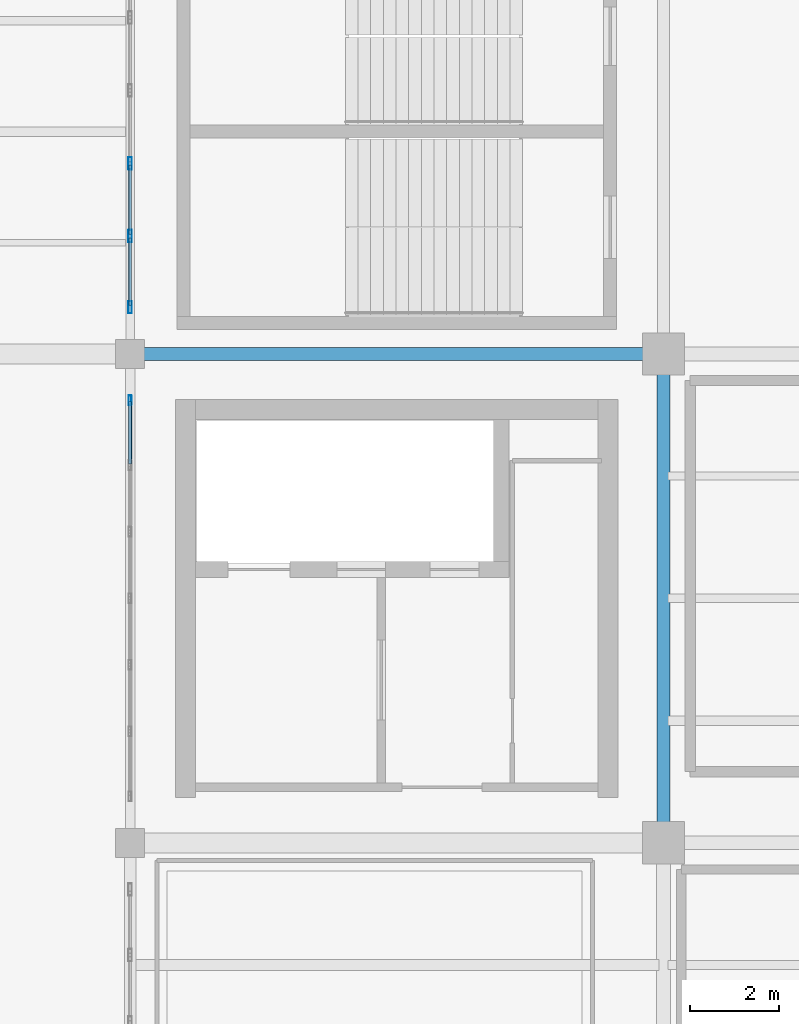
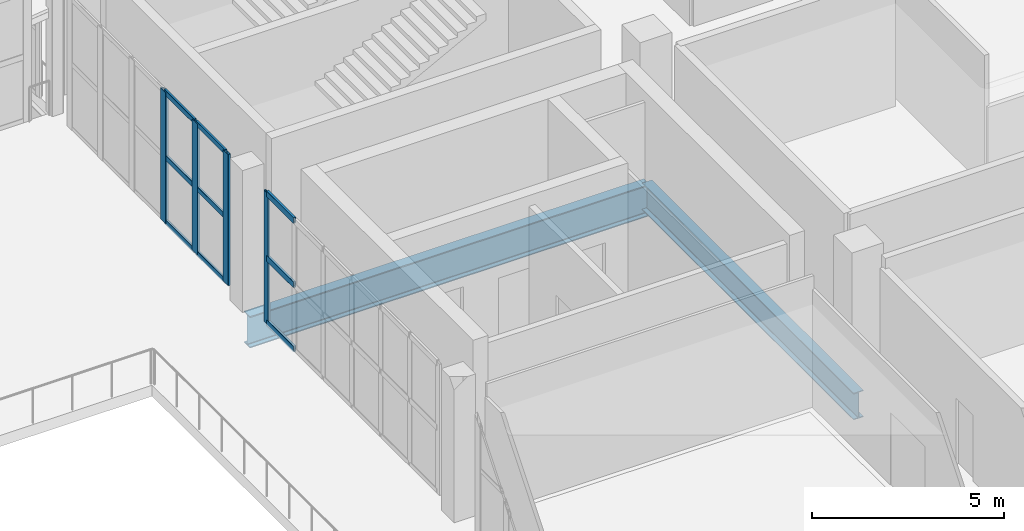
# One storey, part 13 of 90: 13 members, 2 beams, 2 elements without a shape of their own.
"""IFC4 building model written with IfcOpenShell, lengths in metres."""

from ifc_helpers import new_model, si_unit, direction, frame, origin, origin_2d, place, context, subcontext, project, spatial, hollow_rectangle, i_section, extrude, material, layer, layer_set, material_profile, profile_set, type_object, element, aggregate, save


model = new_model("IFC4")

# Units and contexts
model_context = context("Model", 3, precision=1e-05, world=origin(), true_north=direction((0.0, 1.0)))
body_context = subcontext(model_context, "Body", "Model", "MODEL_VIEW")
ifc_project = project(units=[si_unit("LENGTHUNIT", "METRE"), si_unit("AREAUNIT", "SQUARE_METRE"), si_unit("VOLUMEUNIT", "CUBIC_METRE"), si_unit("PLANEANGLEUNIT", "RADIAN"), si_unit("MASSUNIT", "GRAM", prefix="KILO")], contexts=[model_context])

# Site, building, storey
site_placement = place(None, origin())
site = spatial("IfcSite", under=ifc_project, at=site_placement, CompositionType="ELEMENT")
building_placement = place(site_placement, origin())
building = spatial("IfcBuilding", under=site, at=building_placement, Name="Brinegate Civic Arena", CompositionType="ELEMENT")
storey_placement = place(building_placement, frame((0.0, 0.0, 14.699951171875)))
storey = spatial("IfcBuildingStorey", under=building, at=storey_placement, Name="L03", CompositionType="ELEMENT", Elevation=14.699951171875)

# Curtain wall, member
ifc_material_1 = material(Name="Marine grade aluminium", Category="aluminium")
ifc_layer = layer(ifc_material_1, 0.199951171875, Name="Marine grade aluminium")
ifc_layer_set = layer_set([ifc_layer], Name="Marine grade aluminium")
curtain_wall_type = type_object("IfcCurtainWallType", Name="CW-BOWL-GLAZED-01", PredefinedType="USERDEFINED", material=ifc_layer_set)
curtain_wall_1_placement = place(storey_placement, origin())
curtain_wall_1 = element("IfcCurtainWall", 1, at=curtain_wall_1_placement, inside=storey, type_object=curtain_wall_type, Name="Curtain Wall CWA-109", ObjectType="GLAZED CURTAIN WALL", PredefinedType="USERDEFINED")
ifc_material_profile_1 = material_profile(ifc_material_1, hollow_rectangle(XDim=0.06494140625, YDim=0.219970703125, WallThickness=0.006103515625, InnerFilletRadius=0.00390625, OuterFilletRadius=0.008056640625, at=origin_2d()), Name="MUL65X220")
ifc_profile_set_1 = profile_set([ifc_material_profile_1], Name="Marine grade aluminium")
member_type_1 = type_object("IfcMemberType", Name="CW-MULLION-65X220", PredefinedType="MULLION", material=ifc_profile_set_1)
member_1_placement = place(storey_placement, frame((48.0, 40.95751953125, 0.0), z_axis=(0.0, 0.0, 1.0), x_axis=(-1.0, 0.0, 0.0)))
member_1 = element("IfcMember", 2, at=member_1_placement, type_object=member_type_1, Name="CWA-109 mullion 7", PredefinedType="MULLION", context=body_context, shape_type="SweptSolid", body=[
    extrude(hollow_rectangle(XDim=0.06494140625, YDim=0.219970703125, WallThickness=0.006103515625, InnerFilletRadius=0.00390625, OuterFilletRadius=0.008056640625, at=origin_2d()), origin(), (0.0, 0.0, 1.0), 4.16015625),
])

# Curtain wall, members
curtain_wall_2_placement = place(storey_placement, origin())
curtain_wall_2 = element("IfcCurtainWall", 3, at=curtain_wall_2_placement, inside=storey, type_object=curtain_wall_type, Name="Curtain Wall CWA-111", ObjectType="GLAZED CURTAIN WALL", PredefinedType="USERDEFINED")
ifc_material_profile_2 = material_profile(ifc_material_1, hollow_rectangle(XDim=0.080078125, YDim=0.280029296875, WallThickness=0.007080078125, InnerFilletRadius=0.0048828125, OuterFilletRadius=0.010009765625, at=origin_2d()), Name="MUL80X280")
ifc_profile_set_2 = profile_set([ifc_material_profile_2], Name="Marine grade aluminium")
member_type_2 = type_object("IfcMemberType", Name="CW-MULLION-80X280", PredefinedType="MULLION", material=ifc_profile_set_2)
member_2_placement = place(storey_placement, frame((48.0, 43.050048828125, 0.0), z_axis=(0.0, 0.0, 1.0), x_axis=(-1.0, 0.0, 0.0)))
member_2 = element("IfcMember", 4, at=member_2_placement, type_object=member_type_2, Name="CWA-111 mullion 1", PredefinedType="MULLION", context=body_context, shape_type="SweptSolid", body=[
    extrude(hollow_rectangle(XDim=0.080078125, YDim=0.280029296875, WallThickness=0.007080078125, InnerFilletRadius=0.0048828125, OuterFilletRadius=0.010009765625, at=origin_2d()), origin(), (0.0, 0.0, 1.0), 4.16015625),
])
member_3_placement = place(storey_placement, frame((48.0, 44.648681640625, 0.0), z_axis=(0.0, 0.0, 1.0), x_axis=(-1.0, 0.0, 0.0)))
member_3 = element("IfcMember", 5, at=member_3_placement, type_object=member_type_2, Name="CWA-111 mullion 2", PredefinedType="MULLION", context=body_context, shape_type="SweptSolid", body=[
    extrude(hollow_rectangle(XDim=0.080078125, YDim=0.280029296875, WallThickness=0.007080078125, InnerFilletRadius=0.0048828125, OuterFilletRadius=0.010009765625, at=origin_2d()), origin(), (0.0, 0.0, 1.0), 4.16015625),
])
member_4_placement = place(storey_placement, frame((48.0, 46.287109375, 0.0), z_axis=(0.0, 0.0, 1.0), x_axis=(-1.0, 0.0, 0.0)))
member_4 = element("IfcMember", 6, at=member_4_placement, type_object=member_type_2, Name="CWA-111 mullion 3", PredefinedType="MULLION", context=body_context, shape_type="SweptSolid", body=[
    extrude(hollow_rectangle(XDim=0.080078125, YDim=0.280029296875, WallThickness=0.007080078125, InnerFilletRadius=0.0048828125, OuterFilletRadius=0.010009765625, at=origin_2d()), origin(), (0.0, 0.0, 1.0), 4.16015625),
])
ifc_material_profile_3 = material_profile(ifc_material_1, hollow_rectangle(XDim=0.06494140625, YDim=0.1650390625, WallThickness=0.0048828125, InnerFilletRadius=0.00390625, OuterFilletRadius=0.008056640625, at=origin_2d()), Name="TRN65X165")
ifc_profile_set_3 = profile_set([ifc_material_profile_3], Name="Marine grade aluminium")
member_type_3 = type_object("IfcMemberType", Name="CW-TRANSOM-65X165", PredefinedType="USERDEFINED", material=ifc_profile_set_3)
member_5_placement = place(storey_placement, frame((48.0, 43.090087890625, 0.032470703125), z_axis=(0.0, 1.0, 0.0), x_axis=(-1.0, 0.0, 0.0)))
member_5 = element("IfcMember", 7, at=member_5_placement, type_object=member_type_3, Name="CWA-111 transom 1.1", ObjectType="TRANSOM", PredefinedType="USERDEFINED", context=body_context, shape_type="SweptSolid", body=[
    extrude(hollow_rectangle(XDim=0.06494140625, YDim=0.1650390625, WallThickness=0.0048828125, InnerFilletRadius=0.00390625, OuterFilletRadius=0.008056640625, at=origin_2d()), origin(), (0.0, 0.0, 1.0), 1.5185546875),
])
member_6_placement = place(storey_placement, frame((48.0, 43.090087890625, 2.080078125), z_axis=(0.0, 1.0, 0.0), x_axis=(-1.0, 0.0, 0.0)))
member_6 = element("IfcMember", 8, at=member_6_placement, type_object=member_type_3, Name="CWA-111 transom 1.2", ObjectType="TRANSOM", PredefinedType="USERDEFINED", context=body_context, shape_type="SweptSolid", body=[
    extrude(hollow_rectangle(XDim=0.06494140625, YDim=0.1650390625, WallThickness=0.0048828125, InnerFilletRadius=0.00390625, OuterFilletRadius=0.008056640625, at=origin_2d()), origin(), (0.0, 0.0, 1.0), 1.5185546875),
])
member_7_placement = place(storey_placement, frame((48.0, 43.090087890625, 4.12744140625), z_axis=(0.0, 1.0, 0.0), x_axis=(-1.0, 0.0, 0.0)))
member_7 = element("IfcMember", 9, at=member_7_placement, type_object=member_type_3, Name="CWA-111 transom 1.3", ObjectType="TRANSOM", PredefinedType="USERDEFINED", context=body_context, shape_type="SweptSolid", body=[
    extrude(hollow_rectangle(XDim=0.06494140625, YDim=0.1650390625, WallThickness=0.0048828125, InnerFilletRadius=0.00390625, OuterFilletRadius=0.008056640625, at=origin_2d()), origin(), (0.0, 0.0, 1.0), 1.5185546875),
])
member_8_placement = place(storey_placement, frame((48.0, 44.688720703125, 0.032470703125), z_axis=(0.0, 1.0, 0.0), x_axis=(-1.0, 0.0, 0.0)))
member_8 = element("IfcMember", 10, at=member_8_placement, type_object=member_type_3, Name="CWA-111 transom 2.1", ObjectType="TRANSOM", PredefinedType="USERDEFINED", context=body_context, shape_type="SweptSolid", body=[
    extrude(hollow_rectangle(XDim=0.06494140625, YDim=0.1650390625, WallThickness=0.0048828125, InnerFilletRadius=0.00390625, OuterFilletRadius=0.008056640625, at=origin_2d()), origin(), (0.0, 0.0, 1.0), 1.55859375),
])
member_9_placement = place(storey_placement, frame((48.0, 44.688720703125, 2.080078125), z_axis=(0.0, 1.0, 0.0), x_axis=(-1.0, 0.0, 0.0)))
member_9 = element("IfcMember", 11, at=member_9_placement, type_object=member_type_3, Name="CWA-111 transom 2.2", ObjectType="TRANSOM", PredefinedType="USERDEFINED", context=body_context, shape_type="SweptSolid", body=[
    extrude(hollow_rectangle(XDim=0.06494140625, YDim=0.1650390625, WallThickness=0.0048828125, InnerFilletRadius=0.00390625, OuterFilletRadius=0.008056640625, at=origin_2d()), origin(), (0.0, 0.0, 1.0), 1.55859375),
])
member_10_placement = place(storey_placement, frame((48.0, 44.688720703125, 4.12744140625), z_axis=(0.0, 1.0, 0.0), x_axis=(-1.0, 0.0, 0.0)))
member_10 = element("IfcMember", 12, at=member_10_placement, type_object=member_type_3, Name="CWA-111 transom 2.3", ObjectType="TRANSOM", PredefinedType="USERDEFINED", context=body_context, shape_type="SweptSolid", body=[
    extrude(hollow_rectangle(XDim=0.06494140625, YDim=0.1650390625, WallThickness=0.0048828125, InnerFilletRadius=0.00390625, OuterFilletRadius=0.008056640625, at=origin_2d()), origin(), (0.0, 0.0, 1.0), 1.55859375),
])
aggregate(curtain_wall_2, [member_2, member_3, member_4, member_5, member_6, member_7, member_8, member_9, member_10])

# Member
ifc_material_profile_4 = material_profile(ifc_material_1, hollow_rectangle(XDim=0.074951171875, YDim=0.18994140625, WallThickness=0.006103515625, InnerFilletRadius=0.00390625, OuterFilletRadius=0.008056640625, at=origin_2d()), Name="TRN75X190")
ifc_profile_set_4 = profile_set([ifc_material_profile_4], Name="Marine grade aluminium")
member_type_4 = type_object("IfcMemberType", Name="CW-TRANSOM-75X190", PredefinedType="USERDEFINED", material=ifc_profile_set_4)
member_11_placement = place(storey_placement, frame((48.0, 39.52587890625, 0.03759765625), z_axis=(0.0, 1.0, 0.0), x_axis=(-1.0, 0.0, 0.0)))
member_11 = element("IfcMember", 13, at=member_11_placement, type_object=member_type_4, Name="CWA-109 transom 6.1", ObjectType="TRANSOM", PredefinedType="USERDEFINED", context=body_context, shape_type="SweptSolid", body=[
    extrude(hollow_rectangle(XDim=0.074951171875, YDim=0.18994140625, WallThickness=0.006103515625, InnerFilletRadius=0.00390625, OuterFilletRadius=0.008056640625, at=origin_2d()), origin(), (0.0, 0.0, 1.0), 1.399169921875),
])

member_12_placement = place(storey_placement, frame((48.0, 39.52587890625, 2.080078125), z_axis=(0.0, 1.0, 0.0), x_axis=(-1.0, 0.0, 0.0)))
member_12 = element("IfcMember", 14, at=member_12_placement, type_object=member_type_4, Name="CWA-109 transom 6.2", ObjectType="TRANSOM", PredefinedType="USERDEFINED", context=body_context, shape_type="SweptSolid", body=[
    extrude(hollow_rectangle(XDim=0.074951171875, YDim=0.18994140625, WallThickness=0.006103515625, InnerFilletRadius=0.00390625, OuterFilletRadius=0.008056640625, at=origin_2d()), origin(), (0.0, 0.0, 1.0), 1.399169921875),
])

member_13_placement = place(storey_placement, frame((48.0, 39.52587890625, 4.12255859375), z_axis=(0.0, 1.0, 0.0), x_axis=(-1.0, 0.0, 0.0)))
member_13 = element("IfcMember", 15, at=member_13_placement, type_object=member_type_4, Name="CWA-109 transom 6.3", ObjectType="TRANSOM", PredefinedType="USERDEFINED", context=body_context, shape_type="SweptSolid", body=[
    extrude(hollow_rectangle(XDim=0.074951171875, YDim=0.18994140625, WallThickness=0.006103515625, InnerFilletRadius=0.00390625, OuterFilletRadius=0.008056640625, at=origin_2d()), origin(), (0.0, 0.0, 1.0), 1.399169921875),
])

aggregate(curtain_wall_1, [member_1, member_11, member_12, member_13])

# Beams
ifc_material_2 = material(Name="Steel S355", Category="steel")
ifc_material_profile_5 = material_profile(ifc_material_2, i_section(OverallWidth=0.300048828125, OverallDepth=1.0, WebThickness=0.01904296875, FlangeThickness=0.031982421875, FilletRadius=0.02392578125, at=origin_2d()), Name="W1000X321")
ifc_profile_set_5 = profile_set([ifc_material_profile_5], Name="Steel S355")
beam_type_1 = type_object("IfcBeamType", Name="GIRDER-W1000X321", PredefinedType="BEAM", material=ifc_profile_set_5)
beam_1_placement = place(storey_placement, frame((48.0, 42.0, -0.849853515625), z_axis=(1.0, 0.0, 0.0), x_axis=(0.0, 1.0, 0.0)))
element("IfcBeam", 16, at=beam_1_placement, inside=storey, type_object=beam_type_1, Name="Floor Girder BM-L03-GX-04-04", PredefinedType="BEAM", context=body_context, shape_type="SweptSolid", body=[
    extrude(i_section(OverallWidth=0.300048828125, OverallDepth=1.0, WebThickness=0.01904296875, FlangeThickness=0.031982421875, FilletRadius=0.02392578125, at=origin_2d()), origin(), (0.0, 0.0, 1.0), 12.0),
])
ifc_material_profile_6 = material_profile(ifc_material_2, i_section(OverallWidth=0.2939453125, OverallDepth=0.85107421875, WebThickness=0.01611328125, FlangeThickness=0.027099609375, FilletRadius=0.02197265625, at=origin_2d()), Name="W840X226")
ifc_profile_set_6 = profile_set([ifc_material_profile_6], Name="Steel S355")
beam_type_2 = type_object("IfcBeamType", Name="GIRDER-W840X226", PredefinedType="BEAM", material=ifc_profile_set_6)
beam_2_placement = place(storey_placement, frame((60.0, 31.0, -0.77490234375), z_axis=(0.0, 1.0, 0.0), x_axis=(-1.0, 0.0, 0.0)))
element("IfcBeam", 17, at=beam_2_placement, inside=storey, type_object=beam_type_2, Name="Floor Girder BM-L03-GY-05-03", PredefinedType="BEAM", context=body_context, shape_type="SweptSolid", body=[
    extrude(i_section(OverallWidth=0.2939453125, OverallDepth=0.85107421875, WebThickness=0.01611328125, FlangeThickness=0.027099609375, FilletRadius=0.02197265625, at=origin_2d()), origin(), (0.0, 0.0, 1.0), 11.0),
])

save(model, "model.ifc")
